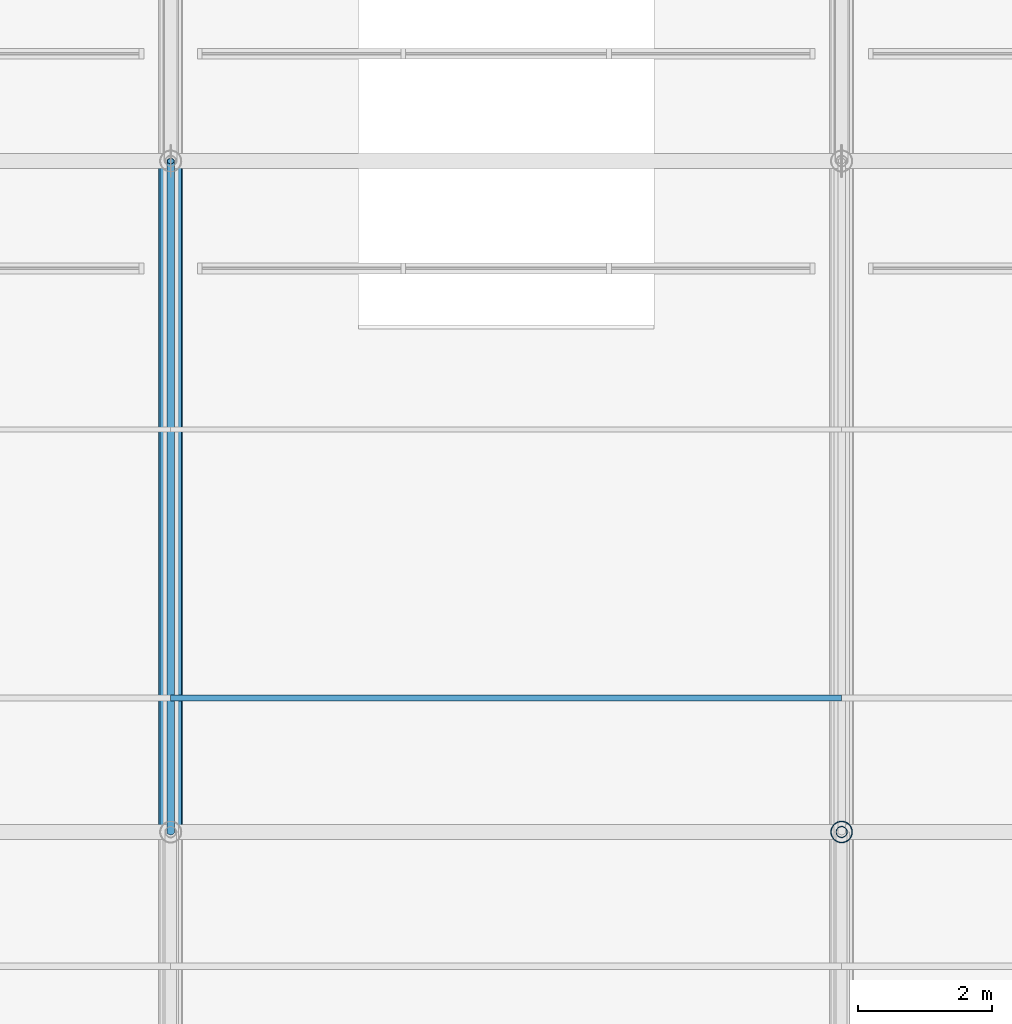
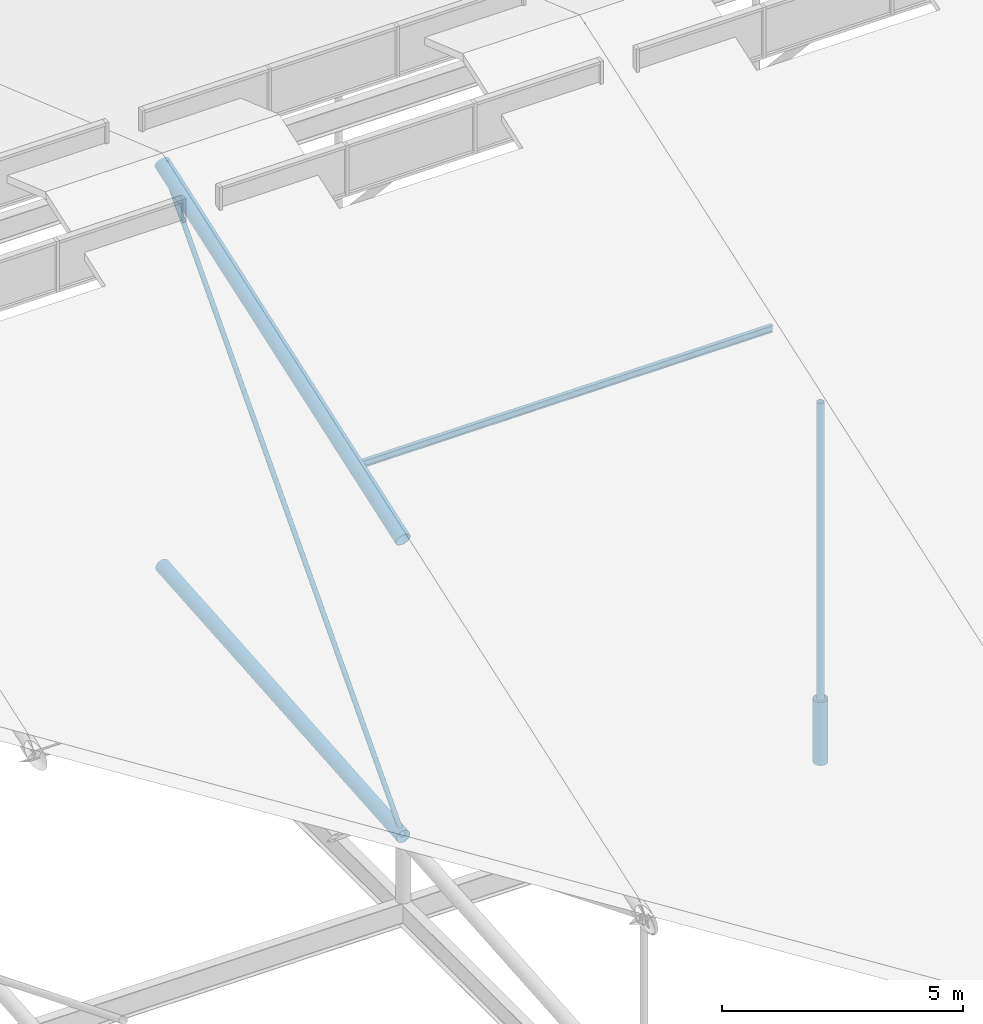
# One storey, part 22 of 93: 6 members.
"""IFC4 building model written with IfcOpenShell, lengths in metres."""

import ifcopenshell
import ifcopenshell.guid

model = None  # the IFC model being written
_history = None  # IfcOwnerHistory: only IFC2X3 demands one
_inside = {}  # id of a spatial element -> (the spatial element, [elements in it])
_under = {}  # id of a project, library or spatial element -> (it, [spatial elements below it])
_declared = {}  # id of a project -> (the project, [libraries it declares])
_typed = {}  # id of a type object -> (the type object, [elements of that type])
_made_of = {}  # id of a material, layer set ... -> (it, [elements and type objects made of it])


def new_model(schema):
    """Start an empty IFC model of exactly this schema.

    Asked for "IFC4X3", IfcOpenShell would pick the latest addendum, in which some entities
    have other attributes; the version numbers below select the first issue.
    IFC2X3 requires an IfcOwnerHistory on every rooted entity: one is made here for all.
    """
    global model, _history
    if schema == "IFC4X3":
        model = ifcopenshell.file(schema_version=(4, 3, 0, 0))
    else:
        model = ifcopenshell.file(schema=schema)
    _inside.clear()
    _under.clear()
    _declared.clear()
    _typed.clear()
    _made_of.clear()
    _history = None
    if model.schema == "IFC2X3":
        org = make("IfcOrganization", Name="unknown")
        user = make(
            "IfcPersonAndOrganization",
            ThePerson=make("IfcPerson", FamilyName="unknown"),
            TheOrganization=org,
        )
        app = make(
            "IfcApplication",
            ApplicationDeveloper=org,
            Version="unknown",
            ApplicationFullName="unknown",
            ApplicationIdentifier="unknown",
        )
        _history = make(
            "IfcOwnerHistory",
            OwningUser=user,
            OwningApplication=app,
            ChangeAction="ADDED",
            CreationDate=0,
        )
    return model


def make(cls, **values):
    """One entity of the class cls with the attributes given. An attribute that is None is left unset."""
    return model.create_entity(
        cls, **{name: value for name, value in values.items() if value is not None}
    )


def rooted(cls, **values):
    """An entity with a GlobalId (a new one), such as an element, a storey or a relation."""
    return make(cls, GlobalId=ifcopenshell.guid.new(), OwnerHistory=_history, **values)


def si_unit(unit_type, name, prefix=None):
    """IfcSIUnit, for example si_unit("LENGTHUNIT", "METRE", prefix="MILLI")."""
    return make("IfcSIUnit", UnitType=unit_type, Prefix=prefix, Name=name)


def derived_unit(unit_type, elements):
    """IfcDerivedUnit: a product of units, each with its exponent."""
    return make(
        "IfcDerivedUnit",
        Elements=[
            make("IfcDerivedUnitElement", Unit=unit, Exponent=power)
            for unit, power in elements
        ],
        UnitType=unit_type,
    )


def assignment(units):
    """IfcUnitAssignment: the units of a project."""
    return None if units is None else make("IfcUnitAssignment", Units=units)


def point(xyz):
    """IfcCartesianPoint."""
    return None if xyz is None else make("IfcCartesianPoint", Coordinates=xyz)


def direction(xyz):
    """IfcDirection."""
    return None if xyz is None else make("IfcDirection", DirectionRatios=xyz)


def frame(location, z_axis=None, x_axis=None):
    """IfcAxis2Placement3D, a coordinate frame: its origin and axes. An axis left out is left unset."""
    return make(
        "IfcAxis2Placement3D",
        Location=point(location),
        Axis=direction(z_axis),
        RefDirection=direction(x_axis),
    )


def frame_2d(location, x_axis=None):
    """IfcAxis2Placement2D, a coordinate frame in the plane: its origin and x axis."""
    return make(
        "IfcAxis2Placement2D", Location=point(location), RefDirection=direction(x_axis)
    )


def origin():
    """The frame at (0, 0, 0) with its axes left unset."""
    return frame((0.0, 0.0, 0.0))


def origin_2d_with_axis():
    """The frame at (0, 0) in the plane with the x axis (1, 0) written out."""
    return frame_2d((0.0, 0.0), x_axis=(1.0, 0.0))


def place(relative_to, where):
    """IfcLocalPlacement: puts the frame where relative to a parent placement (None: the world)."""
    return make(
        "IfcLocalPlacement", PlacementRelTo=relative_to, RelativePlacement=where
    )


def context(
    kind, dimensions, precision=None, world=None, true_north=None, identifier=None
):
    """IfcGeometricRepresentationContext, for example the 3D "Model" context."""
    return make(
        "IfcGeometricRepresentationContext",
        ContextIdentifier=identifier,
        ContextType=kind,
        CoordinateSpaceDimension=dimensions,
        Precision=precision,
        WorldCoordinateSystem=world,
        TrueNorth=true_north,
    )


def subcontext(parent, identifier, kind, view, scale=None):
    """IfcGeometricRepresentationSubContext, for example "Body" below "Model"."""
    return make(
        "IfcGeometricRepresentationSubContext",
        ContextIdentifier=identifier,
        ContextType=kind,
        ParentContext=parent,
        TargetScale=scale,
        TargetView=view,
    )


def project(units=None, contexts=None):
    """IfcProject with its units and contexts."""
    return rooted(
        "IfcProject",
        Name="project",
        RepresentationContexts=contexts,
        UnitsInContext=assignment(units),
    )


def spatial(cls, under=None, at=None, **own):
    """A site, building, storey or space (cls), placed at a placement, below another one or the project."""
    s = rooted(cls, ObjectPlacement=at, **own)
    if under is not None:
        _under.setdefault(under.id(), (under, []))[1].append(s)
    return s


def profile(cls, at=None, kind="AREA", **sizes):
    """A parametric profile (cls). Its sizes go by their IFC names, for example OverallWidth=200.0."""
    return make(cls, ProfileType=kind, Position=at, **sizes)


def hollow_circle(**sizes):
    """IfcCircleHollowProfileDef."""
    return profile("IfcCircleHollowProfileDef", **sizes)


def i_section(**sizes):
    """IfcIShapeProfileDef."""
    return profile("IfcIShapeProfileDef", **sizes)


def extrude(swept, where, along, depth):
    """IfcExtrudedAreaSolid: the profile swept, set in the frame where, extruded along a direction by depth."""
    return make(
        "IfcExtrudedAreaSolid",
        SweptArea=swept,
        Position=where,
        ExtrudedDirection=direction(along),
        Depth=depth,
    )


def shape(context_of_items, identifier, shape_type, items):
    """IfcShapeRepresentation: the items that make up one representation, for example the "Body"."""
    return make(
        "IfcShapeRepresentation",
        ContextOfItems=context_of_items,
        RepresentationIdentifier=identifier,
        RepresentationType=shape_type,
        Items=items,
    )


def material(Name=None, Category=None):
    """IfcMaterial."""
    return make("IfcMaterial", Name=Name, Category=Category)


def material_profile(
    of_material, cross_section, Name=None, Category=None, Priority=None
):
    """IfcMaterialProfile: a cross section and its material."""
    return make(
        "IfcMaterialProfile",
        Name=Name,
        Material=of_material,
        Profile=cross_section,
        Priority=Priority,
        Category=Category,
    )


def profile_set(profiles, Name=None, composite=None):
    """IfcMaterialProfileSet."""
    return make(
        "IfcMaterialProfileSet",
        Name=Name,
        MaterialProfiles=profiles,
        CompositeProfile=composite,
    )


def made_of(thing, what):
    """Note that an element or type object is made of a material, layer set ...; save() writes the relation."""
    if what is not None:
        _made_of.setdefault(what.id(), (what, []))[1].append(thing)
    return thing


def type_object(cls, material=None, **own):
    """A type object (cls), such as IfcWallType, which elements share."""
    return made_of(rooted(cls, **own), material)


def element(
    cls,
    number,
    at=None,
    inside=None,
    cuts=None,
    type_object=None,
    material=None,
    context=None,
    identifier="Body",
    shape_type=None,
    held_by="IfcProductDefinitionShape",
    body=None,
    shapes=None,
    **own,
):
    """One element of the class cls, such as IfcWall. Its Tag is "e" and its number.

    at: its placement. inside: the storey or other place that contains it. cuts: it is an
    opening in that element (IfcRelVoidsElement). A single representation is given by context,
    identifier, shape_type and body (its items); several are given by shapes. held_by: the class
    of the entity that holds the representations. save() writes the other relations.
    """
    e = rooted(cls, Tag="e%d" % number, ObjectPlacement=at, **own)
    if body is not None:
        shapes = [shape(context, identifier, shape_type, body)]
    if shapes is not None:
        e.Representation = make(held_by, Representations=shapes)
    if inside is not None:
        _inside.setdefault(inside.id(), (inside, []))[1].append(e)
    if cuts is not None:
        rooted(
            "IfcRelVoidsElement", RelatingBuildingElement=cuts, RelatedOpeningElement=e
        )
    if type_object is not None:
        _typed.setdefault(type_object.id(), (type_object, []))[1].append(e)
    return made_of(e, material)


def aggregate(whole, parts):
    """IfcRelAggregates: a whole, such as a stair, and the parts it consists of."""
    return rooted("IfcRelAggregates", RelatingObject=whole, RelatedObjects=parts)


def save(model, path):
    """Write the relations noted so far, then the file.

    IfcRelAggregates (storeys below a building ...), IfcRelContainedInSpatialStructure (elements
    in a storey), IfcRelDefinesByType, IfcRelAssociatesMaterial and IfcRelDeclares: one each for
    every whole, place, type object, material and project.
    """
    for whole, parts in _under.values():
        aggregate(whole, parts)
    for where, things in _inside.values():
        rooted(
            "IfcRelContainedInSpatialStructure",
            RelatedElements=things,
            RelatingStructure=where,
        )
    for kind, things in _typed.values():
        rooted("IfcRelDefinesByType", RelatedObjects=things, RelatingType=kind)
    for what, things in _made_of.values():
        rooted("IfcRelAssociatesMaterial", RelatedObjects=things, RelatingMaterial=what)
    for by, libraries in _declared.values():
        rooted("IfcRelDeclares", RelatingContext=by, RelatedDefinitions=libraries)
    model.write(path)


model = new_model("IFC4")

# Units and contexts
model_context = context("Model", 3, precision=1e-05, world=origin(), true_north=direction((0.0, 1.0)))
body_context = subcontext(model_context, "Body", "Model", "MODEL_VIEW")
ifc_project = project(units=[si_unit("LENGTHUNIT", "METRE"), si_unit("AREAUNIT", "SQUARE_METRE"), si_unit("VOLUMEUNIT", "CUBIC_METRE"), si_unit("PLANEANGLEUNIT", "RADIAN"), si_unit("MASSUNIT", "GRAM", prefix="KILO"), derived_unit("THERMALTRANSMITTANCEUNIT", [(si_unit("POWERUNIT", "WATT"), 1), (si_unit("LENGTHUNIT", "METRE"), -2), (si_unit("THERMODYNAMICTEMPERATUREUNIT", "KELVIN"), -1)])], contexts=[model_context])

# Site, building, storey
site_placement = place(None, origin())
site = spatial("IfcSite", under=ifc_project, at=site_placement, CompositionType="ELEMENT")
building_placement = place(site_placement, origin())
building = spatial("IfcBuilding", under=site, at=building_placement, Name="Cinnabar Yard Market Hall", CompositionType="ELEMENT")
storey_placement = place(building_placement, frame((0.0, 0.0, 23.800048828125)))
storey = spatial("IfcBuildingStorey", under=building, at=storey_placement, Name="ROOF", CompositionType="ELEMENT", Elevation=23.800048828125)

# Members
ifc_material_1 = material(Name="Cold-formed steel C350L0", Category="steel")
ifc_material_profile_1 = material_profile(ifc_material_1, hollow_circle(Radius=0.161865234375, WallThickness=0.009521484375, at=origin_2d_with_axis()), Name="323.9x9.5CHS")
ifc_profile_set_1 = profile_set([ifc_material_profile_1], Name="Cold-formed steel C350L0")
member_type_1 = type_object("IfcMemberType", Name="MB-BC01", PredefinedType="CHORD", material=ifc_profile_set_1)
member_1_placement = place(storey_placement, frame((106.0, 34.0, -7.800048828125), z_axis=(0.0, 0.99681489162, 0.07975005859), x_axis=(-1.0, 0.0, 0.0)))
element("IfcMember", 1, at=member_1_placement, inside=storey, type_object=member_type_1, Name="Hall Truss 106 Bottom Chord 3", PredefinedType="CHORD", context=body_context, shape_type="SweptSolid", body=[
    extrude(hollow_circle(Radius=0.161865234375, WallThickness=0.009521484375, at=origin_2d_with_axis()), origin(), (0.0, 0.0, 1.0), 10.031982421875),
])
ifc_material_profile_2 = material_profile(ifc_material_1, hollow_circle(Radius=0.05712890625, WallThickness=0.006103515625, at=origin_2d_with_axis()), Name="114.3x6.0CHS")
ifc_profile_set_2 = profile_set([ifc_material_profile_2], Name="Cold-formed steel C350L0")
member_type_2 = type_object("IfcMemberType", Name="MB-DG03", PredefinedType="BRACE", material=ifc_profile_set_2)
member_2_placement = place(storey_placement, frame((106.0, 34.0, -7.800048828125), z_axis=(0.0, 0.672672793996, 0.739940073396), x_axis=(-1.0, 0.0, 0.0)))
element("IfcMember", 2, at=member_2_placement, inside=storey, type_object=member_type_2, Name="Hall Truss 106 Diagonal 3", PredefinedType="BRACE", context=body_context, shape_type="SweptSolid", body=[
    extrude(hollow_circle(Radius=0.05712890625, WallThickness=0.006103515625, at=origin_2d_with_axis()), origin(), (0.0, 0.0, 1.0), 14.865966796875),
])
ifc_material_2 = material(Name="Steel Grade 300 (300 MPa)", Category="steel")
ifc_material_profile_3 = material_profile(ifc_material_2, i_section(OverallWidth=0.090087890625, OverallDepth=0.173095703125, WebThickness=0.00439453125, FlangeThickness=0.007080078125, FilletRadius=0.0087890625, at=origin_2d_with_axis()), Name="180UB16.1")
ifc_profile_set_3 = profile_set([ifc_material_profile_3], Name="Steel Grade 300 (300 MPa)")
member_type_3 = type_object("IfcMemberType", Name="MB-PU06", PredefinedType="PURLIN", material=ifc_profile_set_3)
member_3_placement = place(storey_placement, frame((106.0, 36.0, 0.37548828125), z_axis=(1.0, 0.0, 0.0), x_axis=(0.0, 1.0, 0.0)))
element("IfcMember", 3, at=member_3_placement, inside=storey, type_object=member_type_3, Name="Hall Roof Purlin Y36 X106", PredefinedType="PURLIN", context=body_context, shape_type="SweptSolid", body=[
    extrude(i_section(OverallWidth=0.090087890625, OverallDepth=0.173095703125, WebThickness=0.00439453125, FlangeThickness=0.007080078125, FilletRadius=0.0087890625, at=origin_2d_with_axis()), origin(), (0.0, 0.0, 1.0), 10.0),
])
ifc_material_3 = material(Name="Spotted-gum glulam-clad steel Grade 350 (350 MPa)", Category="steel")
ifc_material_profile_4 = material_profile(ifc_material_3, hollow_circle(Radius=0.161865234375, WallThickness=0.009521484375, at=origin_2d_with_axis()), Name="323.9x9.5CHS")
ifc_profile_set_4 = profile_set([ifc_material_profile_4], Name="Spotted-gum glulam-clad steel Grade 350 (350 MPa)")
member_type_4 = type_object("IfcMemberType", Name="MB-ST01", PredefinedType="STRUT", material=ifc_profile_set_4)
member_4_placement = place(storey_placement, frame((116.0, 34.0, -9.400146484375), z_axis=(0.0, 0.0, 1.0), x_axis=(1.0, 0.0, 0.0)))
element("IfcMember", 4, at=member_4_placement, inside=storey, type_object=member_type_4, Name="Truss Bearing Post 116-34", PredefinedType="STRUT", context=body_context, shape_type="SweptSolid", body=[
    extrude(hollow_circle(Radius=0.161865234375, WallThickness=0.009521484375, at=origin_2d_with_axis()), origin(), (0.0, 0.0, 1.0), 1.60009765625),
])
ifc_material_profile_5 = material_profile(ifc_material_1, hollow_circle(Radius=0.177734375, WallThickness=0.0126953125, at=origin_2d_with_axis()), Name="355.6x12.7CHS")
ifc_profile_set_5 = profile_set([ifc_material_profile_5], Name="Cold-formed steel C350L0")
member_type_5 = type_object("IfcMemberType", Name="MB-TC01", PredefinedType="CHORD", material=ifc_profile_set_5)
member_5_placement = place(storey_placement, frame((106.0, 34.0, -0.28076171875), z_axis=(0.0, 0.944424919483, 0.328727199147), x_axis=(-1.0, 0.0, 0.0)))
element("IfcMember", 5, at=member_5_placement, inside=storey, type_object=member_type_5, Name="Hall Truss 106 Top Chord 3", PredefinedType="CHORD", context=body_context, shape_type="SweptSolid", body=[
    extrude(hollow_circle(Radius=0.177734375, WallThickness=0.0126953125, at=origin_2d_with_axis()), origin(), (0.0, 0.0, 1.0), 10.58837890625),
])
ifc_material_profile_6 = material_profile(ifc_material_1, hollow_circle(Radius=0.084228515625, WallThickness=0.00634765625, at=origin_2d_with_axis()), Name="168.3x6.4CHS")
ifc_profile_set_6 = profile_set([ifc_material_profile_6], Name="Cold-formed steel C350L0")
member_type_6 = type_object("IfcMemberType", Name="MB-WB01", PredefinedType="STRUT", material=ifc_profile_set_6)
member_6_placement = place(storey_placement, frame((116.0, 34.0, -7.800048828125), z_axis=(0.0, 0.0, 1.0), x_axis=(1.0, 0.0, 0.0)))
element("IfcMember", 6, at=member_6_placement, inside=storey, type_object=member_type_6, Name="Hall Truss 116 Post 2", PredefinedType="STRUT", context=body_context, shape_type="SweptSolid", body=[
    extrude(hollow_circle(Radius=0.084228515625, WallThickness=0.00634765625, at=origin_2d_with_axis()), origin(), (0.0, 0.0, 1.0), 7.519287109375),
])

save(model, "model.ifc")
